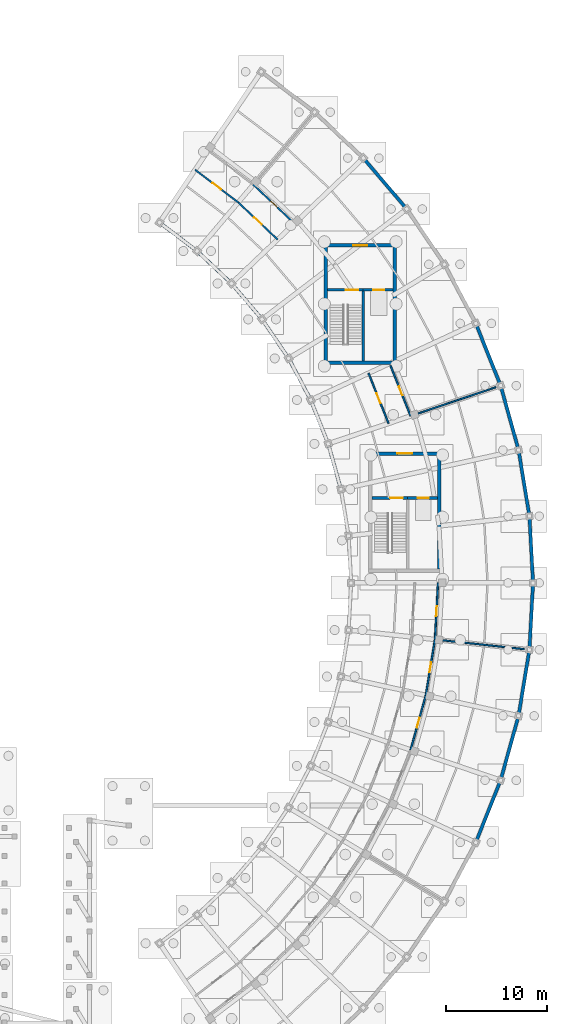
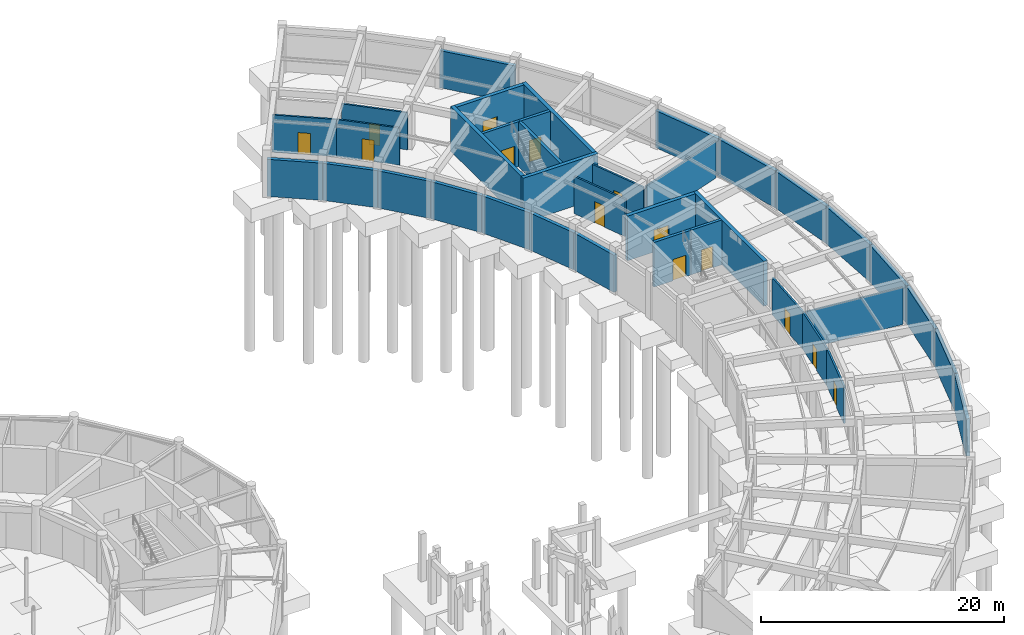
# One storey, part 26 of 42: 37 walls, 14 doors, 14 openings.
"""IFC4 building model written with IfcOpenShell, lengths in metres."""

from ifc_helpers import new_model, si_unit, direction, frame, frame_2d, origin, place, context, subcontext, project, spatial, rectangle, extrude, material, layer, layer_set, type_object, element, fill, save


model = new_model("IFC4")

# Units and contexts
model_context = context("Model", 3, precision=1e-05, world=origin(), true_north=direction((0.0, 1.0)))
body_context = subcontext(model_context, "Body", "Model", "MODEL_VIEW")
ifc_project = project(units=[si_unit("LENGTHUNIT", "METRE"), si_unit("AREAUNIT", "SQUARE_METRE"), si_unit("VOLUMEUNIT", "CUBIC_METRE"), si_unit("PLANEANGLEUNIT", "RADIAN"), si_unit("MASSUNIT", "GRAM", prefix="KILO")], contexts=[model_context])

# Site, building, storey
site_placement = place(None, origin())
site = spatial("IfcSite", under=ifc_project, at=site_placement, CompositionType="ELEMENT")
building_placement = place(site_placement, origin())
building = spatial("IfcBuilding", under=site, at=building_placement, Name="Tarnveldt Headland Concert Hall", CompositionType="ELEMENT")
storey_placement = place(building_placement, frame((0.0, 0.0, -4.800048828125)))
storey = spatial("IfcBuildingStorey", under=building, at=storey_placement, Name="B1", CompositionType="ELEMENT", Elevation=-4.800048828125)

# Wall
ifc_material_1 = material(Name="Concrete C40/50", Category="concrete")
ifc_layer_1 = layer(ifc_material_1, 0.35009765625, Name="Concrete C40/50", Category="concrete")
ifc_layer_set_1 = layer_set([ifc_layer_1], Name="Concrete C40/50")
wall_type_1 = type_object("IfcWallType", Name="WL-CR350", PredefinedType="SHEAR", material=ifc_layer_set_1)
wall_1_placement = place(storey_placement, frame((157.824951171875, 81.800048828125, 0.0), z_axis=(0.0, 0.0, 1.0), x_axis=(1.0, 0.0, 0.0)))
element("IfcWall", 1, at=wall_1_placement, inside=storey, type_object=wall_type_1, Name="Core C3 south shear wall B1", PredefinedType="SHEAR", context=body_context, shape_type="SweptSolid", body=[
    extrude(rectangle(XDim=7.150146484375, YDim=0.35009765625, at=frame_2d((3.5751953125, 0.0))), origin(), (0.0, 0.0, 1.0), 4.5),
])

# Wall, opening, door
wall_2_placement = place(storey_placement, frame((158.175048828125, 93.39990234375, 0.0), z_axis=(0.0, 0.0, 1.0), x_axis=(1.0, 0.0, 0.0)))
wall_2 = element("IfcWall", 2, at=wall_2_placement, inside=storey, type_object=wall_type_1, Name="Core C3 north shear wall B1", PredefinedType="SHEAR", context=body_context, shape_type="SweptSolid", body=[
    extrude(rectangle(XDim=6.449951171875, YDim=0.35009765625, at=frame_2d((3.22509765625, 0.0))), origin(), (0.0, 0.0, 1.0), 4.5),
])
opening_1_placement = place(wall_2_placement, frame((2.550048828125, 0.0, 0.0)))
opening_1 = element("IfcOpeningElement", 3, at=opening_1_placement, cuts=wall_2, Name="Opening FFD-C3-B1", PredefinedType="OPENING", context=body_context, shape_type="SweptSolid", body=[
    extrude(rectangle(XDim=1.35009765625, YDim=2.199951171875, at=frame_2d((0.675048828125, 1.10009765625))), frame((0.0, 0.18505859375, 0.0), z_axis=(0.0, -1.0, 0.0), x_axis=(1.0, 0.0, 0.0)), (0.0, 0.0, 1.0), 0.3701171875),
])
ifc_material_2 = material(Name="Galvanised painted steel sheet", Category="steel")
door_type_1 = type_object("IfcDoorType", Name="DR-FF135", OperationType="NOTDEFINED", PredefinedType="DOOR", material=ifc_material_2)
door_1_placement = place(opening_1_placement, origin())
door_1 = element("IfcDoor", 4, at=door_1_placement, inside=storey, type_object=door_type_1, Name="Core C3 firefighting lobby entrance door B1", OperationType="SINGLE_SWING_LEFT", OverallHeight=2.199951171875, OverallWidth=1.35009765625, PredefinedType="DOOR", context=body_context, shape_type="SweptSolid", body=[
    extrude(rectangle(XDim=1.35009765625, YDim=2.199951171875, at=frame_2d((0.675048828125, 1.10009765625))), frame((0.0, 0.02490234375, 0.0), z_axis=(0.0, -1.0, 0.0), x_axis=(1.0, 0.0, 0.0)), (0.0, 0.0, 1.0), 0.050048828125),
])
fill(opening_1, door_1)

# Walls
for number, where, z_axis, x_axis, name in (
    (5, (158.0, 81.97509765625, 0.0), (0.0, 0.0, 1.0), (0.0, 1.0, 0.0), "Core C3 west shear wall B1"),
    (6, (164.800048828125, 81.97509765625, 0.0), (0.0, 0.0, 1.0), (0.0, 1.0, 0.0), "Core C3 east shear wall B1"),
):
    element("IfcWall", number, at=place(storey_placement, frame(where, z_axis=z_axis, x_axis=x_axis)), inside=storey, type_object=wall_type_1, Name=name, PredefinedType="SHEAR", context=body_context, shape_type="SweptSolid", body=[
        extrude(rectangle(XDim=11.599853515625, YDim=0.35009765625, at=frame_2d((5.7998046875, 0.0))), origin(), (0.0, 0.0, 1.0), 4.5),
    ])

# Wall, opening, door
wall_3_placement = place(storey_placement, frame((162.574951171875, 72.800048828125, 0.0), z_axis=(0.0, 0.0, 1.0), x_axis=(1.0, 0.0, 0.0)))
wall_3 = element("IfcWall", 7, at=wall_3_placement, inside=storey, type_object=wall_type_1, Name="Core C4 north shear wall B1", PredefinedType="SHEAR", context=body_context, shape_type="SweptSolid", body=[
    extrude(rectangle(XDim=6.449951171875, YDim=0.35009765625, at=frame_2d((3.22509765625, 0.0))), origin(), (0.0, 0.0, 1.0), 4.5),
])
opening_2_placement = place(wall_3_placement, frame((2.5, 0.0, 0.0)))
opening_2 = element("IfcOpeningElement", 8, at=opening_2_placement, cuts=wall_3, Name="Opening LBD-C4-B1", PredefinedType="OPENING", context=body_context, shape_type="SweptSolid", body=[
    extrude(rectangle(XDim=1.449951171875, YDim=2.199951171875, at=frame_2d((0.72509765625, 1.10009765625))), frame((0.0, 0.18505859375, 0.0), z_axis=(0.0, -1.0, 0.0), x_axis=(1.0, 0.0, 0.0)), (0.0, 0.0, 1.0), 0.3701171875),
])
door_type_2 = type_object("IfcDoorType", Name="DR-LB145", OperationType="NOTDEFINED", PredefinedType="DOOR", material=ifc_material_2)
door_2_placement = place(opening_2_placement, origin())
door_2 = element("IfcDoor", 9, at=door_2_placement, inside=storey, type_object=door_type_2, Name="Core C4 lobby entrance door B1", OperationType="SINGLE_SWING_RIGHT", OverallHeight=2.199951171875, OverallWidth=1.449951171875, PredefinedType="DOOR", context=body_context, shape_type="SweptSolid", body=[
    extrude(rectangle(XDim=1.449951171875, YDim=2.199951171875, at=frame_2d((0.72509765625, 1.10009765625))), frame((0.0, 0.02490234375, 0.0), z_axis=(0.0, -1.0, 0.0), x_axis=(1.0, 0.0, 0.0)), (0.0, 0.0, 1.0), 0.050048828125),
])
fill(opening_2, door_2)

# Walls
wall_4_placement = place(storey_placement, frame((169.199951171875, 61.375, 0.0), z_axis=(0.0, 0.0, 1.0), x_axis=(0.0, 1.0, 0.0)))
element("IfcWall", 10, at=wall_4_placement, inside=storey, type_object=wall_type_1, Name="Core C4 east shear wall B1", PredefinedType="SHEAR", context=body_context, shape_type="SweptSolid", body=[
    extrude(rectangle(XDim=11.60009765625, YDim=0.35009765625, at=frame_2d((5.800048828125, 0.0))), origin(), (0.0, 0.0, 1.0), 4.5),
])
ifc_material_3 = material(Name="Coral-toned precast concrete C40/50", Category="concrete")
ifc_layer_2 = layer(ifc_material_3, 0.324951171875, Name="Coral-toned precast concrete C40/50", Category="concrete")
ifc_layer_set_2 = layer_set([ifc_layer_2], Name="Coral-toned precast concrete C40/50")
wall_type_2 = type_object("IfcWallType", Name="WL-EX325", PredefinedType="SOLIDWALL", material=ifc_layer_set_2)
for number, where, z_axis, x_axis, name in (
    (11, (175.28369140625, 40.45751953125, 0.0), (0.0, 0.0, 1.0), (-0.371013273361, -0.928627563122, 0.0), "External precast wall B1-58"),
    (12, (177.061279296875, 46.835693359375, 0.0), (0.0, 0.0, 1.0), (-0.268139380464, -0.96338012884, 0.0), "External precast wall B1-60"),
):
    element("IfcWall", number, at=place(storey_placement, frame(where, z_axis=z_axis, x_axis=x_axis)), inside=storey, type_object=wall_type_2, Name=name, PredefinedType="SOLIDWALL", context=body_context, shape_type="SweptSolid", body=[
        extrude(rectangle(XDim=6.5810546875, YDim=0.324951171875, at=frame_2d((3.29052734375, 0.0))), origin(), (0.0, 0.0, 1.0), 3.738037109375),
    ])
wall_5_placement = place(storey_placement, frame((178.137451171875, 53.368896484375, 0.0), z_axis=(0.0, 0.0, 1.0), x_axis=(-0.162178892589, -0.986761372774, 0.0)))
element("IfcWall", 13, at=wall_5_placement, inside=storey, type_object=wall_type_2, Name="External precast wall B1-62", PredefinedType="SOLIDWALL", context=body_context, shape_type="SweptSolid", body=[
    extrude(rectangle(XDim=6.58154296875, YDim=0.324951171875, at=frame_2d((3.290771484375, 0.0))), origin(), (0.0, 0.0, 1.0), 3.738037109375),
])
for number, where, z_axis, x_axis, name in (
    (14, (178.498779296875, 59.97998046875, 0.0), (0.0, 0.0, 1.0), (-0.05427216263, -0.998526180109, 0.0), "External precast wall B1-64"),
    (15, (178.1416015625, 66.591552734375, 0.0), (0.0, 0.0, 1.0), (0.05427216263, -0.998526180109, 0.0), "External precast wall B1-66"),
):
    element("IfcWall", number, at=place(storey_placement, frame(where, z_axis=z_axis, x_axis=x_axis)), inside=storey, type_object=wall_type_2, Name=name, PredefinedType="SOLIDWALL", context=body_context, shape_type="SweptSolid", body=[
        extrude(rectangle(XDim=6.581298828125, YDim=0.324951171875, at=frame_2d((3.29052734375, 0.0))), origin(), (0.0, 0.0, 1.0), 3.738037109375),
    ])
wall_6_placement = place(storey_placement, frame((177.070068359375, 73.12548828125, 0.0), z_axis=(0.0, 0.0, 1.0), x_axis=(0.162178892589, -0.986761372774, 0.0)))
element("IfcWall", 16, at=wall_6_placement, inside=storey, type_object=wall_type_2, Name="External precast wall B1-68", PredefinedType="SOLIDWALL", context=body_context, shape_type="SweptSolid", body=[
    extrude(rectangle(XDim=6.58154296875, YDim=0.324951171875, at=frame_2d((3.290771484375, 0.0))), origin(), (0.0, 0.0, 1.0), 3.738037109375),
])
wall_7_placement = place(storey_placement, frame((159.484375, 69.285400390625, 0.0), z_axis=(0.0, 0.0, 1.0), x_axis=(-0.268171711462, 0.963371129509, 0.0)))
element("IfcWall", 17, at=wall_7_placement, inside=storey, type_object=wall_type_2, Name="External precast wall B1-69", PredefinedType="SOLIDWALL", context=body_context, shape_type="SweptSolid", body=[
    extrude(rectangle(XDim=4.62744140625, YDim=0.324951171875, at=frame_2d((2.313720703125, 0.0))), origin(), (0.0, 0.0, 1.0), 3.738037109375),
])
wall_8_placement = place(storey_placement, frame((175.296630859375, 79.50439453125, 0.0), z_axis=(0.0, 0.0, 1.0), x_axis=(0.268139380464, -0.96338012884, 0.0)))
element("IfcWall", 18, at=wall_8_placement, inside=storey, type_object=wall_type_2, Name="External precast wall B1-70", PredefinedType="SOLIDWALL", context=body_context, shape_type="SweptSolid", body=[
    extrude(rectangle(XDim=6.5810546875, YDim=0.324951171875, at=frame_2d((3.29052734375, 0.0))), origin(), (0.0, 0.0, 1.0), 3.738037109375),
])
wall_9_placement = place(storey_placement, frame((158.230712890625, 73.78125, 0.0), z_axis=(0.0, 0.0, 1.0), x_axis=(-0.371008589462, 0.92862943446, 0.0)))
element("IfcWall", 19, at=wall_9_placement, inside=storey, type_object=wall_type_2, Name="External precast wall B1-71", PredefinedType="SOLIDWALL", context=body_context, shape_type="SweptSolid", body=[
    extrude(rectangle(XDim=4.62744140625, YDim=0.324951171875, at=frame_2d((2.313720703125, 0.0))), origin(), (0.0, 0.0, 1.0), 3.738037109375),
])
wall_10_placement = place(storey_placement, frame((172.842041015625, 85.65380859375, 0.0), z_axis=(0.0, 0.0, 1.0), x_axis=(0.371013273361, -0.928627563122, 0.0)))
element("IfcWall", 20, at=wall_10_placement, inside=storey, type_object=wall_type_2, Name="External precast wall B1-72", PredefinedType="SOLIDWALL", context=body_context, shape_type="SweptSolid", body=[
    extrude(rectangle(XDim=6.5810546875, YDim=0.324951171875, at=frame_2d((3.29052734375, 0.0))), origin(), (0.0, 0.0, 1.0), 3.738037109375),
])
wall_11_placement = place(storey_placement, frame((156.4970703125, 78.11474609375, 0.0), z_axis=(0.0, 0.0, 1.0), x_axis=(-0.469465091098, 0.882951033886, 0.0)))
element("IfcWall", 21, at=wall_11_placement, inside=storey, type_object=wall_type_2, Name="External precast wall B1-73", PredefinedType="SOLIDWALL", context=body_context, shape_type="SweptSolid", body=[
    extrude(rectangle(XDim=4.627197265625, YDim=0.324951171875, at=frame_2d((2.3134765625, 0.0))), origin(), (0.0, 0.0, 1.0), 3.738037109375),
])
for number, where, z_axis, x_axis, name in (
    (22, (154.303955078125, 82.234619140625, 0.0), (0.0, 0.0, 1.0), (-0.562419692238, 0.826851915268, 0.0), "External precast wall B1-75"),
    (23, (151.67724609375, 86.092529296875, 0.0), (0.0, 0.0, 1.0), (-0.648712136454, 0.761033878363, 0.0), "External precast wall B1-77"),
):
    element("IfcWall", number, at=place(storey_placement, frame(where, z_axis=z_axis, x_axis=x_axis)), inside=storey, type_object=wall_type_2, Name=name, PredefinedType="SOLIDWALL", context=body_context, shape_type="SweptSolid", body=[
        extrude(rectangle(XDim=4.62744140625, YDim=0.324951171875, at=frame_2d((2.313720703125, 0.0))), origin(), (0.0, 0.0, 1.0), 3.738037109375),
    ])
wall_12_placement = place(storey_placement, frame((161.72021484375, 102.017333984375, 0.0), z_axis=(0.0, 0.0, 1.0), x_axis=(0.648708464949, -0.761037007973, 0.0)))
element("IfcWall", 24, at=wall_12_placement, inside=storey, type_object=wall_type_2, Name="External precast wall B1-78", PredefinedType="SOLIDWALL", context=body_context, shape_type="SweptSolid", body=[
    extrude(rectangle(XDim=6.581298828125, YDim=0.324951171875, at=frame_2d((3.29052734375, 0.0))), origin(), (0.0, 0.0, 1.0), 3.738037109375),
])
for number, where, z_axis, x_axis, name in (
    (25, (148.64794921875, 89.643310546875, 0.0), (0.0, 0.0, 1.0), (-0.727383217963, 0.686231487346, 0.0), "External precast wall B1-79"),
    (26, (145.25146484375, 92.844482421875, 0.0), (0.0, 0.0, 1.0), (-0.797466762723, 0.603362877837, 0.0), "External precast wall B1-81"),
):
    element("IfcWall", number, at=place(storey_placement, frame(where, z_axis=z_axis, x_axis=x_axis)), inside=storey, type_object=wall_type_2, Name=name, PredefinedType="SOLIDWALL", context=body_context, shape_type="SweptSolid", body=[
        extrude(rectangle(XDim=4.62744140625, YDim=0.324951171875, at=frame_2d((2.313720703125, 0.0))), origin(), (0.0, 0.0, 1.0), 3.738037109375),
    ])
ifc_material_4 = material(Name="Acoustic multi-layer gypsum and mineral-wool partition", Category="gypsum")
ifc_layer_3 = layer(ifc_material_4, 0.14990234375, Name="Acoustic multi-layer gypsum and mineral-wool partition", Category="gypsum")
ifc_layer_set_3 = layer_set([ifc_layer_3], Name="Acoustic multi-layer gypsum and mineral-wool partition")
wall_type_3 = type_object("IfcWallType", Name="WL-PT150", PredefinedType="PARTITIONING", material=ifc_layer_set_3)
for number, where, z_axis, x_axis, name in (
    (27, (168.994873046875, 54.3857421875, 0.0), (0.0, 0.0, 1.0), (0.994106851206, -0.108404651128, 0.0), "Interior acoustic partition B1-131"),
    (28, (166.5751953125, 76.5791015625, 0.0), (0.0, 0.0, 1.0), (0.947390199596, 0.320080942435, 0.0), "Interior acoustic partition B1-134"),
):
    element("IfcWall", number, at=place(storey_placement, frame(where, z_axis=z_axis, x_axis=x_axis)), inside=storey, type_object=wall_type_3, Name=name, PredefinedType="PARTITIONING", context=body_context, shape_type="SweptSolid", body=[
        extrude(rectangle(XDim=8.699951171875, YDim=0.14990234375, at=frame_2d((4.35009765625, 0.0))), origin(), (0.0, 0.0, 1.0), 3.739990234375),
    ])

# Wall, opening, door
ifc_layer_4 = layer(ifc_material_4, 0.1650390625, Name="Acoustic multi-layer gypsum and mineral-wool partition", Category="gypsum")
ifc_layer_set_4 = layer_set([ifc_layer_4], Name="Acoustic multi-layer gypsum and mineral-wool partition")
wall_type_4 = type_object("IfcWallType", Name="WL-PT165", PredefinedType="PARTITIONING", material=ifc_layer_set_4)
wall_13_placement = place(storey_placement, frame((166.3857421875, 43.48486328125, 0.0), z_axis=(0.0, 0.0, 1.0), x_axis=(0.268163153024, 0.963373511863, 0.0)))
wall_13 = element("IfcWall", 29, at=wall_13_placement, inside=storey, type_object=wall_type_4, Name="Interior acoustic partition B1-126", PredefinedType="PARTITIONING", context=body_context, shape_type="SweptSolid", body=[
    extrude(rectangle(XDim=5.600830078125, YDim=0.1650390625, at=frame_2d((2.80029296875, 0.0))), origin(), (0.0, 0.0, 1.0), 3.739990234375),
])
opening_3_placement = place(wall_13_placement, frame((2.300537109375, 0.0, 0.0)))
opening_3 = element("IfcOpeningElement", 30, at=opening_3_placement, cuts=wall_13, Name="Opening D-B1-144", PredefinedType="OPENING", context=body_context, shape_type="SweptSolid", body=[
    extrude(rectangle(XDim=1.0, YDim=2.1201171875, at=frame_2d((0.5, 1.06005859375))), frame((0.0, 0.092529296875, 0.0), z_axis=(0.0, -1.0, 0.0), x_axis=(1.0, 0.0, 0.0)), (0.0, 0.0, 1.0), 0.18505859375),
])
ifc_material_5 = material(Name="Treated East African mvule hardwood", Category="wood")
door_type_3 = type_object("IfcDoorType", Name="DR-RM100", OperationType="NOTDEFINED", PredefinedType="DOOR", material=ifc_material_5)
door_3_placement = place(opening_3_placement, origin())
door_3 = element("IfcDoor", 31, at=door_3_placement, inside=storey, type_object=door_type_3, Name="Interior room door B1-144", OperationType="SINGLE_SWING_RIGHT", OverallHeight=2.1201171875, OverallWidth=1.0, PredefinedType="DOOR", context=body_context, shape_type="SweptSolid", body=[
    extrude(rectangle(XDim=1.0, YDim=2.1201171875, at=frame_2d((0.5, 1.06005859375))), frame((0.0, 0.02490234375, 0.0), z_axis=(0.0, -1.0, 0.0), x_axis=(1.0, 0.0, 0.0)), (0.0, 0.0, 1.0), 0.050048828125),
])
fill(opening_3, door_3)

wall_14_placement = place(storey_placement, frame((167.8876953125, 48.880615234375, 0.0), z_axis=(0.0, 0.0, 1.0), x_axis=(0.162157760567, 0.986764845689, 0.0)))
wall_14 = element("IfcWall", 32, at=wall_14_placement, inside=storey, type_object=wall_type_4, Name="Interior acoustic partition B1-128", PredefinedType="PARTITIONING", context=body_context, shape_type="SweptSolid", body=[
    extrude(rectangle(XDim=5.600830078125, YDim=0.1650390625, at=frame_2d((2.80029296875, 0.0))), origin(), (0.0, 0.0, 1.0), 3.739990234375),
])
opening_4_placement = place(wall_14_placement, frame((2.30029296875, 0.0, 0.0)))
opening_4 = element("IfcOpeningElement", 33, at=opening_4_placement, cuts=wall_14, Name="Opening D-B1-146", PredefinedType="OPENING", context=body_context, shape_type="SweptSolid", body=[
    extrude(rectangle(XDim=1.0, YDim=2.1201171875, at=frame_2d((0.5, 1.06005859375))), frame((0.0, 0.092529296875, 0.0), z_axis=(0.0, -1.0, 0.0), x_axis=(1.0, 0.0, 0.0)), (0.0, 0.0, 1.0), 0.18505859375),
])
door_4_placement = place(opening_4_placement, origin())
door_4 = element("IfcDoor", 34, at=door_4_placement, inside=storey, type_object=door_type_3, Name="Interior room door B1-146", OperationType="SINGLE_SWING_RIGHT", OverallHeight=2.1201171875, OverallWidth=1.0, PredefinedType="DOOR", context=body_context, shape_type="SweptSolid", body=[
    extrude(rectangle(XDim=1.0, YDim=2.1201171875, at=frame_2d((0.5, 1.06005859375))), frame((0.0, 0.02490234375, 0.0), z_axis=(0.0, -1.0, 0.0), x_axis=(1.0, 0.0, 0.0)), (0.0, 0.0, 1.0), 0.050048828125),
])
fill(opening_4, door_4)

wall_15_placement = place(storey_placement, frame((168.7958984375, 54.4072265625, 0.0), z_axis=(0.0, 0.0, 1.0), x_axis=(0.054311200267, 0.99852405756, 0.0)))
wall_15 = element("IfcWall", 35, at=wall_15_placement, inside=storey, type_object=wall_type_4, Name="Interior acoustic partition B1-130", PredefinedType="PARTITIONING", context=body_context, shape_type="SweptSolid", body=[
    extrude(rectangle(XDim=5.60107421875, YDim=0.1650390625, at=frame_2d((2.800537109375, 0.0))), origin(), (0.0, 0.0, 1.0), 3.739990234375),
])
opening_5_placement = place(wall_15_placement, frame((2.300537109375, 0.0, 0.0)))
opening_5 = element("IfcOpeningElement", 36, at=opening_5_placement, cuts=wall_15, Name="Opening D-B1-148", PredefinedType="OPENING", context=body_context, shape_type="SweptSolid", body=[
    extrude(rectangle(XDim=1.0, YDim=2.1201171875, at=frame_2d((0.5, 1.06005859375))), frame((0.0, 0.092529296875, 0.0), z_axis=(0.0, -1.0, 0.0), x_axis=(1.0, 0.0, 0.0)), (0.0, 0.0, 1.0), 0.18505859375),
])
door_5_placement = place(opening_5_placement, origin())
door_5 = element("IfcDoor", 37, at=door_5_placement, inside=storey, type_object=door_type_3, Name="Interior room door B1-148", OperationType="SINGLE_SWING_RIGHT", OverallHeight=2.1201171875, OverallWidth=1.0, PredefinedType="DOOR", context=body_context, shape_type="SweptSolid", body=[
    extrude(rectangle(XDim=1.0, YDim=2.1201171875, at=frame_2d((0.5, 1.06005859375))), frame((0.0, 0.02490234375, 0.0), z_axis=(0.0, -1.0, 0.0), x_axis=(1.0, 0.0, 0.0)), (0.0, 0.0, 1.0), 0.050048828125),
])
fill(opening_5, door_5)

wall_16_placement = place(storey_placement, frame((164.206787109375, 75.779052734375, 0.0), z_axis=(0.0, 0.0, 1.0), x_axis=(-0.371052411724, 0.92861192527, 0.0)))
wall_16 = element("IfcWall", 38, at=wall_16_placement, inside=storey, type_object=wall_type_4, Name="Interior acoustic partition B1-132", PredefinedType="PARTITIONING", context=body_context, shape_type="SweptSolid", body=[
    extrude(rectangle(XDim=5.351318359375, YDim=0.1650390625, at=frame_2d((2.67578125, 0.0))), origin(), (0.0, 0.0, 1.0), 3.739990234375),
])
opening_6_placement = place(wall_16_placement, frame((2.150634765625, 0.0, 0.0)))
opening_6 = element("IfcOpeningElement", 39, at=opening_6_placement, cuts=wall_16, Name="Opening D-B1-149", PredefinedType="OPENING", context=body_context, shape_type="SweptSolid", body=[
    extrude(rectangle(XDim=1.050048828125, YDim=2.14990234375, at=frame_2d((0.52490234375, 1.074951171875))), frame((0.0, 0.092529296875, 0.0), z_axis=(0.0, -1.0, 0.0), x_axis=(1.0, 0.0, 0.0)), (0.0, 0.0, 1.0), 0.18505859375),
])
door_type_4 = type_object("IfcDoorType", Name="DR-RM105", OperationType="NOTDEFINED", PredefinedType="DOOR", material=ifc_material_5)
door_6_placement = place(opening_6_placement, origin())
door_6 = element("IfcDoor", 40, at=door_6_placement, inside=storey, type_object=door_type_4, Name="Interior room door B1-149", OperationType="SINGLE_SWING_LEFT", OverallHeight=2.14990234375, OverallWidth=1.050048828125, PredefinedType="DOOR", context=body_context, shape_type="SweptSolid", body=[
    extrude(rectangle(XDim=1.050048828125, YDim=2.14990234375, at=frame_2d((0.52490234375, 1.074951171875))), frame((0.0, 0.02490234375, 0.0), z_axis=(0.0, -1.0, 0.0), x_axis=(1.0, 0.0, 0.0)), (0.0, 0.0, 1.0), 0.050048828125),
])
fill(opening_6, door_6)

wall_17_placement = place(storey_placement, frame((166.3857421875, 76.51513671875, 0.0), z_axis=(0.0, 0.0, 1.0), x_axis=(-0.370990720389, 0.928636573362, 0.0)))
wall_17 = element("IfcWall", 41, at=wall_17_placement, inside=storey, type_object=wall_type_4, Name="Interior acoustic partition B1-133", PredefinedType="PARTITIONING", context=body_context, shape_type="SweptSolid", body=[
    extrude(rectangle(XDim=5.367919921875, YDim=0.1650390625, at=frame_2d((2.68408203125, 0.0))), origin(), (0.0, 0.0, 1.0), 3.739990234375),
])
opening_7_placement = place(wall_17_placement, frame((2.223876953125, 0.0, 0.0)))
opening_7 = element("IfcOpeningElement", 42, at=opening_7_placement, cuts=wall_17, Name="Opening D-B1-150", PredefinedType="OPENING", context=body_context, shape_type="SweptSolid", body=[
    extrude(rectangle(XDim=0.919921875, YDim=2.10009765625, at=frame_2d((0.4599609375, 1.050048828125))), frame((0.0, 0.092529296875, 0.0), z_axis=(0.0, -1.0, 0.0), x_axis=(1.0, 0.0, 0.0)), (0.0, 0.0, 1.0), 0.18505859375),
])
door_type_5 = type_object("IfcDoorType", Name="DR-WC092", OperationType="NOTDEFINED", PredefinedType="DOOR", material=ifc_material_5)
door_7_placement = place(opening_7_placement, origin())
door_7 = element("IfcDoor", 43, at=door_7_placement, inside=storey, type_object=door_type_5, Name="Interior room door B1-150", OperationType="SINGLE_SWING_RIGHT", OverallHeight=2.10009765625, OverallWidth=0.919921875, PredefinedType="DOOR", context=body_context, shape_type="SweptSolid", body=[
    extrude(rectangle(XDim=0.919921875, YDim=2.10009765625, at=frame_2d((0.4599609375, 1.050048828125))), frame((0.0, 0.02490234375, 0.0), z_axis=(0.0, -1.0, 0.0), x_axis=(1.0, 0.0, 0.0)), (0.0, 0.0, 1.0), 0.050048828125),
])
fill(opening_7, door_7)

wall_18_placement = place(storey_placement, frame((153.22802734375, 93.970458984375, 0.0), z_axis=(0.0, 0.0, 1.0), x_axis=(-0.7273609966, 0.68625504051, 0.0)))
wall_18 = element("IfcWall", 44, at=wall_18_placement, inside=storey, type_object=wall_type_4, Name="Interior acoustic partition B1-135", PredefinedType="PARTITIONING", context=body_context, shape_type="SweptSolid", body=[
    extrude(rectangle(XDim=5.351318359375, YDim=0.1650390625, at=frame_2d((2.67578125, 0.0))), origin(), (0.0, 0.0, 1.0), 3.739990234375),
])
opening_8_placement = place(wall_18_placement, frame((2.150634765625, 0.0, 0.0)))
opening_8 = element("IfcOpeningElement", 45, at=opening_8_placement, cuts=wall_18, Name="Opening D-B1-151", PredefinedType="OPENING", context=body_context, shape_type="SweptSolid", body=[
    extrude(rectangle(XDim=1.050048828125, YDim=2.14990234375, at=frame_2d((0.52490234375, 1.074951171875))), frame((0.0, 0.092529296875, 0.0), z_axis=(0.0, -1.0, 0.0), x_axis=(1.0, 0.0, 0.0)), (0.0, 0.0, 1.0), 0.18505859375),
])
door_8_placement = place(opening_8_placement, origin())
door_8 = element("IfcDoor", 46, at=door_8_placement, inside=storey, type_object=door_type_4, Name="Interior room door B1-151", OperationType="SINGLE_SWING_LEFT", OverallHeight=2.14990234375, OverallWidth=1.050048828125, PredefinedType="DOOR", context=body_context, shape_type="SweptSolid", body=[
    extrude(rectangle(XDim=1.050048828125, YDim=2.14990234375, at=frame_2d((0.52490234375, 1.074951171875))), frame((0.0, 0.02490234375, 0.0), z_axis=(0.0, -1.0, 0.0), x_axis=(1.0, 0.0, 0.0)), (0.0, 0.0, 1.0), 0.050048828125),
])
fill(opening_8, door_8)

wall_19_placement = place(storey_placement, frame((154.89501953125, 95.555419921875, 0.0), z_axis=(0.0, 0.0, 1.0), x_axis=(-0.727402273239, 0.686211288807, 0.0)))
wall_19 = element("IfcWall", 47, at=wall_19_placement, inside=storey, type_object=wall_type_4, Name="Interior acoustic partition B1-136", PredefinedType="PARTITIONING", context=body_context, shape_type="SweptSolid", body=[
    extrude(rectangle(XDim=5.60107421875, YDim=0.1650390625, at=frame_2d((2.800537109375, 0.0))), origin(), (0.0, 0.0, 1.0), 3.739990234375),
])
opening_9_placement = place(wall_19_placement, frame((2.340576171875, 0.0, 0.0)))
opening_9 = element("IfcOpeningElement", 48, at=opening_9_placement, cuts=wall_19, Name="Opening D-B1-152", PredefinedType="OPENING", context=body_context, shape_type="SweptSolid", body=[
    extrude(rectangle(XDim=0.919921875, YDim=2.10009765625, at=frame_2d((0.4599609375, 1.050048828125))), frame((0.0, 0.092529296875, 0.0), z_axis=(0.0, -1.0, 0.0), x_axis=(1.0, 0.0, 0.0)), (0.0, 0.0, 1.0), 0.18505859375),
])
door_9_placement = place(opening_9_placement, origin())
door_9 = element("IfcDoor", 49, at=door_9_placement, inside=storey, type_object=door_type_5, Name="Interior room door B1-152", OperationType="SINGLE_SWING_RIGHT", OverallHeight=2.10009765625, OverallWidth=0.919921875, PredefinedType="DOOR", context=body_context, shape_type="SweptSolid", body=[
    extrude(rectangle(XDim=0.919921875, YDim=2.10009765625, at=frame_2d((0.4599609375, 1.050048828125))), frame((0.0, 0.02490234375, 0.0), z_axis=(0.0, -1.0, 0.0), x_axis=(1.0, 0.0, 0.0)), (0.0, 0.0, 1.0), 0.050048828125),
])
fill(opening_9, door_9)

wall_20_placement = place(storey_placement, frame((149.335693359375, 97.642822265625, 0.0), z_axis=(0.0, 0.0, 1.0), x_axis=(-0.797474612376, 0.603352502784, 0.0)))
wall_20 = element("IfcWall", 50, at=wall_20_placement, inside=storey, type_object=wall_type_4, Name="Interior acoustic partition B1-137", PredefinedType="PARTITIONING", context=body_context, shape_type="SweptSolid", body=[
    extrude(rectangle(XDim=5.351318359375, YDim=0.1650390625, at=frame_2d((2.67578125, 0.0))), origin(), (0.0, 0.0, 1.0), 3.739990234375),
])
opening_10_placement = place(wall_20_placement, frame((2.150634765625, 0.0, 0.0)))
opening_10 = element("IfcOpeningElement", 51, at=opening_10_placement, cuts=wall_20, Name="Opening D-B1-153", PredefinedType="OPENING", context=body_context, shape_type="SweptSolid", body=[
    extrude(rectangle(XDim=1.050048828125, YDim=2.14990234375, at=frame_2d((0.52490234375, 1.074951171875))), frame((0.0, 0.092529296875, 0.0), z_axis=(0.0, -1.0, 0.0), x_axis=(1.0, 0.0, 0.0)), (0.0, 0.0, 1.0), 0.18505859375),
])
door_10_placement = place(opening_10_placement, origin())
door_10 = element("IfcDoor", 52, at=door_10_placement, inside=storey, type_object=door_type_4, Name="Interior room door B1-153", OperationType="SINGLE_SWING_LEFT", OverallHeight=2.14990234375, OverallWidth=1.050048828125, PredefinedType="DOOR", context=body_context, shape_type="SweptSolid", body=[
    extrude(rectangle(XDim=1.050048828125, YDim=2.14990234375, at=frame_2d((0.52490234375, 1.074951171875))), frame((0.0, 0.02490234375, 0.0), z_axis=(0.0, -1.0, 0.0), x_axis=(1.0, 0.0, 0.0)), (0.0, 0.0, 1.0), 0.050048828125),
])
fill(opening_10, door_10)

# Wall
ifc_layer_5 = layer(ifc_material_1, 0.27490234375, Name="Concrete C40/50", Category="concrete")
ifc_layer_set_5 = layer_set([ifc_layer_5], Name="Concrete C40/50")
wall_type_5 = type_object("IfcWallType", Name="WL-SH275", PredefinedType="SHEAR", material=ifc_layer_set_5)
wall_21_placement = place(storey_placement, frame((161.699951171875, 81.97509765625, 0.0), z_axis=(0.0, 0.0, 1.0), x_axis=(0.0, 1.0, 0.0)))
element("IfcWall", 53, at=wall_21_placement, inside=storey, type_object=wall_type_5, Name="Core C3 shaft divider wall B1", PredefinedType="SHEAR", context=body_context, shape_type="SweptSolid", body=[
    extrude(rectangle(XDim=6.887451171875, YDim=0.27490234375, at=frame_2d((3.44384765625, 0.0))), origin(), (0.0, 0.0, 1.0), 4.5),
])

# Wall, opening, door
wall_22_placement = place(storey_placement, frame((158.175048828125, 89.0, 0.0), z_axis=(0.0, 0.0, 1.0), x_axis=(1.0, 0.0, 0.0)))
wall_22 = element("IfcWall", 54, at=wall_22_placement, inside=storey, type_object=wall_type_5, Name="Core C3 stair enclosure wall B1", PredefinedType="SHEAR", context=body_context, shape_type="SweptSolid", body=[
    extrude(rectangle(XDim=3.52490234375, YDim=0.27490234375, at=frame_2d((1.762451171875, 0.0))), origin(), (0.0, 0.0, 1.0), 4.5),
])
opening_11_placement = place(wall_22_placement, frame((1.784912109375, 0.0, 0.0)))
opening_11 = element("IfcOpeningElement", 55, at=opening_11_placement, cuts=wall_22, Name="Opening SD-C3-B1", PredefinedType="OPENING", context=body_context, shape_type="SweptSolid", body=[
    extrude(rectangle(XDim=1.25, YDim=2.14990234375, at=frame_2d((0.625, 1.074951171875))), frame((0.0, 0.1474609375, 0.0), z_axis=(0.0, -1.0, 0.0), x_axis=(1.0, 0.0, 0.0)), (0.0, 0.0, 1.0), 0.294921875),
])
door_type_6 = type_object("IfcDoorType", Name="DR-ST125", OperationType="NOTDEFINED", PredefinedType="DOOR", material=ifc_material_2)
door_11_placement = place(opening_11_placement, origin())
door_11 = element("IfcDoor", 56, at=door_11_placement, inside=storey, type_object=door_type_6, Name="Core C3 stair fire door B1", OperationType="SINGLE_SWING_RIGHT", OverallHeight=2.14990234375, OverallWidth=1.25, PredefinedType="DOOR", context=body_context, shape_type="SweptSolid", body=[
    extrude(rectangle(XDim=1.25, YDim=2.14990234375, at=frame_2d((0.625, 1.074951171875))), frame((0.0, 0.02490234375, 0.0), z_axis=(0.0, -1.0, 0.0), x_axis=(1.0, 0.0, 0.0)), (0.0, 0.0, 1.0), 0.050048828125),
])
fill(opening_11, door_11)

wall_23_placement = place(storey_placement, frame((161.699951171875, 89.0, 0.0), z_axis=(0.0, 0.0, 1.0), x_axis=(1.0, 0.0, 0.0)))
wall_23 = element("IfcWall", 57, at=wall_23_placement, inside=storey, type_object=wall_type_5, Name="Core C3 lift shaft front wall B1", PredefinedType="SHEAR", context=body_context, shape_type="SweptSolid", body=[
    extrude(rectangle(XDim=2.925048828125, YDim=0.27490234375, at=frame_2d((1.46240234375, 0.0))), origin(), (0.0, 0.0, 1.0), 4.5),
])
opening_12_placement = place(wall_23_placement, frame((0.982421875, 0.0, 0.0)))
opening_12 = element("IfcOpeningElement", 58, at=opening_12_placement, cuts=wall_23, Name="Opening LD-FFL-02-B1", PredefinedType="OPENING", context=body_context, shape_type="SweptSolid", body=[
    extrude(rectangle(XDim=1.10009765625, YDim=2.14990234375, at=frame_2d((0.550048828125, 1.074951171875))), frame((0.0, 0.1474609375, 0.0), z_axis=(0.0, -1.0, 0.0), x_axis=(1.0, 0.0, 0.0)), (0.0, 0.0, 1.0), 0.294921875),
])
door_type_7 = type_object("IfcDoorType", Name="LD-110", OperationType="NOTDEFINED", PredefinedType="DOOR", material=ifc_material_2)
door_12_placement = place(opening_12_placement, origin())
door_12 = element("IfcDoor", 59, at=door_12_placement, inside=storey, type_object=door_type_7, Name="Lift FFL-02 sliding landing door B1", OperationType="DOUBLE_DOOR_SLIDING", OverallHeight=2.14990234375, OverallWidth=1.10009765625, PredefinedType="DOOR", context=body_context, shape_type="SweptSolid", body=[
    extrude(rectangle(XDim=1.10009765625, YDim=2.14990234375, at=frame_2d((0.550048828125, 1.074951171875))), frame((0.0, 0.02490234375, 0.0), z_axis=(0.0, -1.0, 0.0), x_axis=(1.0, 0.0, 0.0)), (0.0, 0.0, 1.0), 0.050048828125),
])
fill(opening_12, door_12)

wall_24_placement = place(storey_placement, frame((162.574951171875, 68.39990234375, 0.0), z_axis=(0.0, 0.0, 1.0), x_axis=(1.0, 0.0, 0.0)))
wall_24 = element("IfcWall", 60, at=wall_24_placement, inside=storey, type_object=wall_type_5, Name="Core C4 stair enclosure wall B1", PredefinedType="SHEAR", context=body_context, shape_type="SweptSolid", body=[
    extrude(rectangle(XDim=3.525146484375, YDim=0.27490234375, at=frame_2d((1.7626953125, 0.0))), origin(), (0.0, 0.0, 1.0), 4.5),
])
opening_13_placement = place(wall_24_placement, frame((1.784912109375, 0.0, 0.0)))
opening_13 = element("IfcOpeningElement", 61, at=opening_13_placement, cuts=wall_24, Name="Opening SD-C4-B1", PredefinedType="OPENING", context=body_context, shape_type="SweptSolid", body=[
    extrude(rectangle(XDim=1.25, YDim=2.14990234375, at=frame_2d((0.625, 1.074951171875))), frame((0.0, 0.1474609375, 0.0), z_axis=(0.0, -1.0, 0.0), x_axis=(1.0, 0.0, 0.0)), (0.0, 0.0, 1.0), 0.294921875),
])
door_13_placement = place(opening_13_placement, origin())
door_13 = element("IfcDoor", 62, at=door_13_placement, inside=storey, type_object=door_type_6, Name="Core C4 stair fire door B1", OperationType="SINGLE_SWING_RIGHT", OverallHeight=2.14990234375, OverallWidth=1.25, PredefinedType="DOOR", context=body_context, shape_type="SweptSolid", body=[
    extrude(rectangle(XDim=1.25, YDim=2.14990234375, at=frame_2d((0.625, 1.074951171875))), frame((0.0, 0.02490234375, 0.0), z_axis=(0.0, -1.0, 0.0), x_axis=(1.0, 0.0, 0.0)), (0.0, 0.0, 1.0), 0.050048828125),
])
fill(opening_13, door_13)

wall_25_placement = place(storey_placement, frame((166.10009765625, 68.39990234375, 0.0), z_axis=(0.0, 0.0, 1.0), x_axis=(1.0, 0.0, 0.0)))
wall_25 = element("IfcWall", 63, at=wall_25_placement, inside=storey, type_object=wall_type_5, Name="Core C4 lift shaft front wall B1", PredefinedType="SHEAR", context=body_context, shape_type="SweptSolid", body=[
    extrude(rectangle(XDim=2.9248046875, YDim=0.27490234375, at=frame_2d((1.46240234375, 0.0))), origin(), (0.0, 0.0, 1.0), 4.5),
])
opening_14_placement = place(wall_25_placement, frame((0.982421875, 0.0, 0.0)))
opening_14 = element("IfcOpeningElement", 64, at=opening_14_placement, cuts=wall_25, Name="Opening LD-LP-04-B1", PredefinedType="OPENING", context=body_context, shape_type="SweptSolid", body=[
    extrude(rectangle(XDim=1.10009765625, YDim=2.14990234375, at=frame_2d((0.550048828125, 1.074951171875))), frame((0.0, 0.1474609375, 0.0), z_axis=(0.0, -1.0, 0.0), x_axis=(1.0, 0.0, 0.0)), (0.0, 0.0, 1.0), 0.294921875),
])
door_14_placement = place(opening_14_placement, origin())
door_14 = element("IfcDoor", 65, at=door_14_placement, inside=storey, type_object=door_type_7, Name="Lift LP-04 sliding landing door B1", OperationType="DOUBLE_DOOR_SLIDING", OverallHeight=2.14990234375, OverallWidth=1.10009765625, PredefinedType="DOOR", context=body_context, shape_type="SweptSolid", body=[
    extrude(rectangle(XDim=1.10009765625, YDim=2.14990234375, at=frame_2d((0.550048828125, 1.074951171875))), frame((0.0, 0.02490234375, 0.0), z_axis=(0.0, -1.0, 0.0), x_axis=(1.0, 0.0, 0.0)), (0.0, 0.0, 1.0), 0.050048828125),
])
fill(opening_14, door_14)

save(model, "model.ifc")
